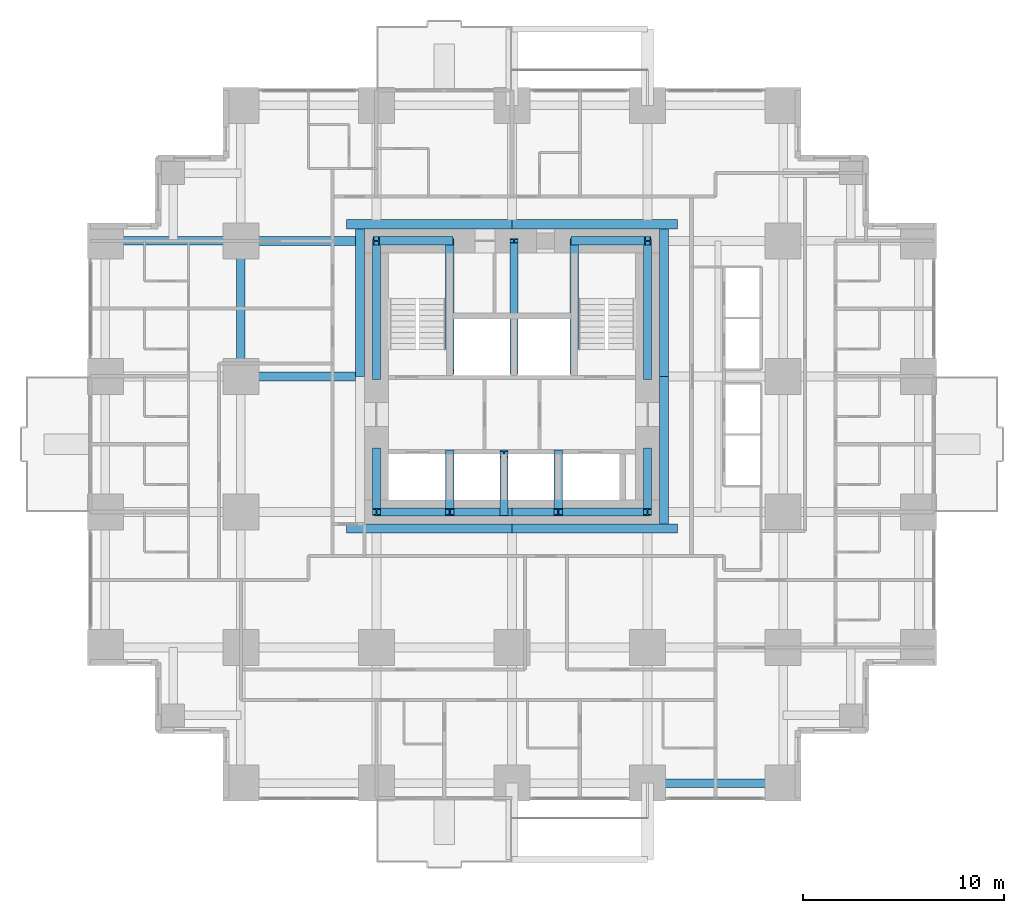
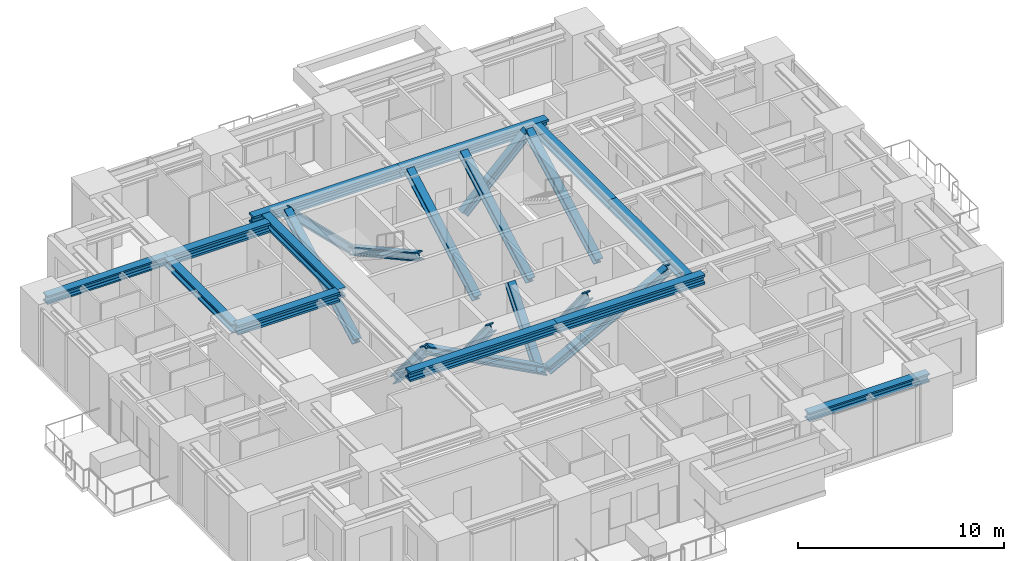
# One storey, part 3 of 13: 14 members, 12 beams.
"""IFC4 building model written with IfcOpenShell, lengths in metres."""

from ifc_helpers import new_model, si_unit, direction, frame, origin, origin_2d, place, context, subcontext, project, spatial, i_section, extrude, material, material_profile, profile_set, type_object, element, save


model = new_model("IFC4")

# Units and contexts
model_context = context("Model", 3, precision=1e-05, world=origin(), true_north=direction((0.0, 1.0)))
body_context = subcontext(model_context, "Body", "Model", "MODEL_VIEW")
ifc_project = project(units=[si_unit("LENGTHUNIT", "METRE"), si_unit("AREAUNIT", "SQUARE_METRE"), si_unit("VOLUMEUNIT", "CUBIC_METRE"), si_unit("PLANEANGLEUNIT", "RADIAN"), si_unit("MASSUNIT", "GRAM", prefix="KILO")], contexts=[model_context])

# Site, building, storey
site_placement = place(None, origin())
site = spatial("IfcSite", under=ifc_project, at=site_placement, CompositionType="ELEMENT")
building_placement = place(site_placement, origin())
building = spatial("IfcBuilding", under=site, at=building_placement, Name="Nyansa Garden Tower", CompositionType="ELEMENT")
storey_placement = place(building_placement, frame((0.0, 0.0, 94.5)))
storey = spatial("IfcBuildingStorey", under=building, at=storey_placement, Name="L25", CompositionType="ELEMENT", Elevation=94.5)

# Members
ifc_material_1 = material(Name="Steel S355", Category="steel")
ifc_material_profile_1 = material_profile(ifc_material_1, i_section(OverallWidth=0.41796875, OverallDepth=0.455078125, WebThickness=0.0419921875, FlangeThickness=0.067626953125, FilletRadius=0.014892578125, at=origin_2d()), Name="HD 400x463")
ifc_profile_set_1 = profile_set([ifc_material_profile_1], Name="Steel S355")
member_type = type_object("IfcMemberType", Name="Perimeter brace HD 400x463", PredefinedType="BRACE", material=ifc_profile_set_1)
for number, where, z_axis, x_axis, name in (
    (1, (20.25, 13.5, 0.0), (-0.882347640589, 0.0, 0.47059817376), (0.0, -1.0, 0.0), "Core brace CS1 L25"),
    (2, (20.25, 13.5, 0.0), (0.882347640589, 0.0, 0.47059817376), (0.0, 1.0, 0.0), "Core brace CS2 L25"),
):
    element("IfcMember", number, at=place(storey_placement, frame(where, z_axis=z_axis, x_axis=x_axis)), inside=storey, type_object=member_type, Name=name, PredefinedType="BRACE", context=body_context, shape_type="SweptSolid", body=[
        extrude(i_section(OverallWidth=0.41796875, OverallDepth=0.455078125, WebThickness=0.0419921875, FlangeThickness=0.067626953125, FilletRadius=0.014892578125, at=origin_2d()), origin(), (0.0, 0.0, 1.0), 7.650146484375),
    ])
for number, where, z_axis, x_axis, name in (
    (3, (17.14990234375, 27.0, 0.0), (-0.711947531702, 0.0, 0.702232662373), (0.0, -1.0, 0.0), "Core brace CN3 L25"),
    (4, (23.35009765625, 27.0, 0.0), (0.711947531702, 0.0, 0.702232662373), (0.0, 1.0, 0.0), "Core brace CN4 L25"),
):
    element("IfcMember", number, at=place(storey_placement, frame(where, z_axis=z_axis, x_axis=x_axis)), inside=storey, type_object=member_type, Name=name, PredefinedType="BRACE", context=body_context, shape_type="SweptSolid", body=[
        extrude(i_section(OverallWidth=0.41796875, OverallDepth=0.455078125, WebThickness=0.0419921875, FlangeThickness=0.067626953125, FilletRadius=0.014892578125, at=origin_2d()), origin(), (0.0, 0.0, 1.0), 5.126708984375),
    ])
member_1_placement = place(storey_placement, frame((13.5, 16.5, 0.0), z_axis=(0.0, -0.640174150918, 0.768229820104), x_axis=(1.0, 0.0, 0.0)))
element("IfcMember", 5, at=member_1_placement, inside=storey, type_object=member_type, Name="Core brace CW5 L25", PredefinedType="BRACE", context=body_context, shape_type="SweptSolid", body=[
    extrude(i_section(OverallWidth=0.41796875, OverallDepth=0.455078125, WebThickness=0.0419921875, FlangeThickness=0.067626953125, FilletRadius=0.014892578125, at=origin_2d()), origin(), (0.0, 0.0, 1.0), 4.686279296875),
])
member_2_placement = place(storey_placement, frame((13.5, 20.199951171875, 0.0), z_axis=(0.0, 0.883784057226, 0.467895009796), x_axis=(-1.0, 0.0, 0.0)))
element("IfcMember", 6, at=member_2_placement, inside=storey, type_object=member_type, Name="Core brace CW6 L25", PredefinedType="BRACE", context=body_context, shape_type="SweptSolid", body=[
    extrude(i_section(OverallWidth=0.41796875, OverallDepth=0.455078125, WebThickness=0.0419921875, FlangeThickness=0.067626953125, FilletRadius=0.014892578125, at=origin_2d()), origin(), (0.0, 0.0, 1.0), 7.6943359375),
])
member_3_placement = place(storey_placement, frame((27.0, 16.5, 0.0), z_axis=(0.0, -0.640174150918, 0.768229820104), x_axis=(1.0, 0.0, 0.0)))
element("IfcMember", 7, at=member_3_placement, inside=storey, type_object=member_type, Name="Core brace CE7 L25", PredefinedType="BRACE", context=body_context, shape_type="SweptSolid", body=[
    extrude(i_section(OverallWidth=0.41796875, OverallDepth=0.455078125, WebThickness=0.0419921875, FlangeThickness=0.067626953125, FilletRadius=0.014892578125, at=origin_2d()), origin(), (0.0, 0.0, 1.0), 4.686279296875),
])
member_4_placement = place(storey_placement, frame((27.0, 20.199951171875, 0.0), z_axis=(0.0, 0.883784057226, 0.467895009796), x_axis=(-1.0, 0.0, 0.0)))
element("IfcMember", 8, at=member_4_placement, inside=storey, type_object=member_type, Name="Core brace CE8 L25", PredefinedType="BRACE", context=body_context, shape_type="SweptSolid", body=[
    extrude(i_section(OverallWidth=0.41796875, OverallDepth=0.455078125, WebThickness=0.0419921875, FlangeThickness=0.067626953125, FilletRadius=0.014892578125, at=origin_2d()), origin(), (0.0, 0.0, 1.0), 7.6943359375),
])
for number, where, z_axis, x_axis, name in (
    (9, (17.14990234375, 27.0, 0.0), (0.0, -0.876353113771, 0.481669201822), (1.0, 0.0, 0.0), "Core brace CWS9 L25"),
    (10, (23.35009765625, 20.449951171875, 0.0), (0.0, 0.876353113771, 0.481669201822), (-1.0, 0.0, 0.0), "Core brace CES10 L25"),
):
    element("IfcMember", number, at=place(storey_placement, frame(where, z_axis=z_axis, x_axis=x_axis)), inside=storey, type_object=member_type, Name=name, PredefinedType="BRACE", context=body_context, shape_type="SweptSolid", body=[
        extrude(i_section(OverallWidth=0.41796875, OverallDepth=0.455078125, WebThickness=0.0419921875, FlangeThickness=0.067626953125, FilletRadius=0.014892578125, at=origin_2d()), origin(), (0.0, 0.0, 1.0), 7.47412109375),
    ])
for number, where, z_axis, x_axis, name in (
    (11, (17.14990234375, 16.39990234375, 0.0), (0.0, -0.627306405886, 0.778772542617), (1.0, 0.0, 0.0), "Core brace CSW11 L25"),
    (12, (19.85009765625, 13.5, 0.0), (0.0, 0.627306405886, 0.778772542617), (-1.0, 0.0, 0.0), "Core brace CSW12 L25"),
    (13, (22.550048828125, 16.39990234375, 0.0), (0.0, -0.627306405886, 0.778772542617), (1.0, 0.0, 0.0), "Core brace CSW13 L25"),
):
    element("IfcMember", number, at=place(storey_placement, frame(where, z_axis=z_axis, x_axis=x_axis)), inside=storey, type_object=member_type, Name=name, PredefinedType="BRACE", context=body_context, shape_type="SweptSolid", body=[
        extrude(i_section(OverallWidth=0.41796875, OverallDepth=0.455078125, WebThickness=0.0419921875, FlangeThickness=0.067626953125, FilletRadius=0.014892578125, at=origin_2d()), origin(), (0.0, 0.0, 1.0), 4.622802734375),
    ])
member_5_placement = place(storey_placement, frame((20.35009765625, 20.449951171875, 0.0), z_axis=(0.0, 0.876353113771, 0.481669201822), x_axis=(-1.0, 0.0, 0.0)))
element("IfcMember", 14, at=member_5_placement, inside=storey, type_object=member_type, Name="Core brace CNW14 L25", PredefinedType="BRACE", context=body_context, shape_type="SweptSolid", body=[
    extrude(i_section(OverallWidth=0.41796875, OverallDepth=0.455078125, WebThickness=0.0419921875, FlangeThickness=0.067626953125, FilletRadius=0.014892578125, at=origin_2d()), origin(), (0.0, 0.0, 1.0), 7.47412109375),
])

# Beams
ifc_material_2 = material(Name="Steel S355", Category="steel")
ifc_material_profile_2 = material_profile(ifc_material_2, i_section(OverallWidth=0.431884765625, OverallDepth=0.498046875, WebThickness=0.0556640625, FlangeThickness=0.0888671875, FilletRadius=0.014892578125, at=origin_2d()), Name="HD 400x744")
ifc_profile_set_2 = profile_set([ifc_material_profile_2], Name="Steel S355")
beam_type_1 = type_object("IfcBeamType", Name="Steel beam SBB1-744 HD 400x744", PredefinedType="BEAM", material=ifc_profile_set_2)
for number, where, z_axis, x_axis, name in (
    (15, (0.0, 27.0, 3.1259765625), (1.0, 0.0, 0.0), (0.0, 1.0, 0.0), "Steel beam 2/H-3/H L26"),
    (16, (6.75, 20.25, 3.1259765625), (0.0, 1.0, 0.0), (-1.0, 0.0, 0.0), "Steel beam 3/G-3/H L26"),
):
    element("IfcBeam", number, at=place(storey_placement, frame(where, z_axis=z_axis, x_axis=x_axis)), inside=storey, type_object=beam_type_1, Name=name, PredefinedType="BEAM", context=body_context, shape_type="SweptSolid", body=[
        extrude(i_section(OverallWidth=0.431884765625, OverallDepth=0.498046875, WebThickness=0.0556640625, FlangeThickness=0.0888671875, FilletRadius=0.014892578125, at=origin_2d()), origin(), (0.0, 0.0, 1.0), 6.75),
    ])
ifc_material_3 = material(Name="Steel S355", Category="steel")
ifc_material_profile_3 = material_profile(ifc_material_3, i_section(OverallWidth=0.4541015625, OverallDepth=0.569091796875, WebThickness=0.077880859375, FlangeThickness=0.125, FilletRadius=0.014892578125, at=origin_2d()), Name="HD 400x1086")
ifc_profile_set_3 = profile_set([ifc_material_profile_3], Name="Steel S355")
beam_type_2 = type_object("IfcBeamType", Name="Steel beam SCL-1086 HD 400x1086", PredefinedType="BEAM", material=ifc_profile_set_3)
for number, where, z_axis, x_axis, name in (
    (17, (6.75, 20.25, 3.090576171875), (1.0, 0.0, 0.0), (0.0, 1.0, 0.0), "Steel beam 3/G-12.450/G L26"),
    (18, (6.75, 27.0, 3.090576171875), (1.0, 0.0, 0.0), (0.0, 1.0, 0.0), "Steel beam 3/H-12.450/H L26"),
):
    element("IfcBeam", number, at=place(storey_placement, frame(where, z_axis=z_axis, x_axis=x_axis)), inside=storey, type_object=beam_type_2, Name=name, PredefinedType="BEAM", context=body_context, shape_type="SweptSolid", body=[
        extrude(i_section(OverallWidth=0.4541015625, OverallDepth=0.569091796875, WebThickness=0.077880859375, FlangeThickness=0.125, FilletRadius=0.014892578125, at=origin_2d()), origin(), (0.0, 0.0, 1.0), 5.699951171875),
    ])
for number, where, z_axis, x_axis, name in (
    (19, (12.0, 12.673095703125, 3.090576171875), (1.0, 0.0, 0.0), (0.0, 1.0, 0.0), "Steel core ledger beam S.1 L26"),
    (20, (20.25, 12.673095703125, 3.090576171875), (1.0, 0.0, 0.0), (0.0, 1.0, 0.0), "Steel core ledger beam S.2 L26"),
):
    element("IfcBeam", number, at=place(storey_placement, frame(where, z_axis=z_axis, x_axis=x_axis)), inside=storey, type_object=beam_type_2, Name=name, PredefinedType="BEAM", context=body_context, shape_type="SweptSolid", body=[
        extrude(i_section(OverallWidth=0.4541015625, OverallDepth=0.569091796875, WebThickness=0.077880859375, FlangeThickness=0.125, FilletRadius=0.014892578125, at=origin_2d()), origin(), (0.0, 0.0, 1.0), 8.25),
    ])
for number, where, z_axis, x_axis, name in (
    (21, (27.826904296875, 12.89990234375, 3.090576171875), (0.0, 1.0, 0.0), (-1.0, 0.0, 0.0), "Steel core ledger beam E.1 L26"),
    (22, (27.826904296875, 20.25, 3.090576171875), (0.0, 1.0, 0.0), (-1.0, 0.0, 0.0), "Steel core ledger beam E.2 L26"),
):
    element("IfcBeam", number, at=place(storey_placement, frame(where, z_axis=z_axis, x_axis=x_axis)), inside=storey, type_object=beam_type_2, Name=name, PredefinedType="BEAM", context=body_context, shape_type="SweptSolid", body=[
        extrude(i_section(OverallWidth=0.4541015625, OverallDepth=0.569091796875, WebThickness=0.077880859375, FlangeThickness=0.125, FilletRadius=0.014892578125, at=origin_2d()), origin(), (0.0, 0.0, 1.0), 7.35009765625),
    ])
for number, where, z_axis, x_axis, name in (
    (23, (28.5, 27.826904296875, 3.090576171875), (-1.0, 0.0, 0.0), (0.0, -1.0, 0.0), "Steel core ledger beam N.1 L26"),
    (24, (20.25, 27.826904296875, 3.090576171875), (-1.0, 0.0, 0.0), (0.0, -1.0, 0.0), "Steel core ledger beam N.2 L26"),
):
    element("IfcBeam", number, at=place(storey_placement, frame(where, z_axis=z_axis, x_axis=x_axis)), inside=storey, type_object=beam_type_2, Name=name, PredefinedType="BEAM", context=body_context, shape_type="SweptSolid", body=[
        extrude(i_section(OverallWidth=0.4541015625, OverallDepth=0.569091796875, WebThickness=0.077880859375, FlangeThickness=0.125, FilletRadius=0.014892578125, at=origin_2d()), origin(), (0.0, 0.0, 1.0), 8.25),
    ])
beam_1_placement = place(storey_placement, frame((12.673095703125, 27.60009765625, 3.090576171875), z_axis=(0.0, -1.0, 0.0), x_axis=(1.0, 0.0, 0.0)))
element("IfcBeam", 25, at=beam_1_placement, inside=storey, type_object=beam_type_2, Name="Steel core ledger beam W.1 L26", PredefinedType="BEAM", context=body_context, shape_type="SweptSolid", body=[
    extrude(i_section(OverallWidth=0.4541015625, OverallDepth=0.569091796875, WebThickness=0.077880859375, FlangeThickness=0.125, FilletRadius=0.014892578125, at=origin_2d()), origin(), (0.0, 0.0, 1.0), 7.35009765625),
])
ifc_material_4 = material(Name="Steel S355", Category="steel")
ifc_material_profile_4 = material_profile(ifc_material_4, i_section(OverallWidth=0.431884765625, OverallDepth=0.498046875, WebThickness=0.0556640625, FlangeThickness=0.0888671875, FilletRadius=0.014892578125, at=origin_2d()), Name="HD 400x744")
ifc_profile_set_4 = profile_set([ifc_material_profile_4], Name="Steel S355")
beam_type_3 = type_object("IfcBeamType", Name="Steel beam SEBB-744 HD 400x744", PredefinedType="BEAM", material=ifc_profile_set_4)
beam_2_placement = place(storey_placement, frame((27.0, 0.0, 3.1259765625), z_axis=(1.0, 0.0, 0.0), x_axis=(0.0, 1.0, 0.0)))
element("IfcBeam", 26, at=beam_2_placement, inside=storey, type_object=beam_type_3, Name="Steel edge beam 6/D-7/D L26", PredefinedType="BEAM", context=body_context, shape_type="SweptSolid", body=[
    extrude(i_section(OverallWidth=0.431884765625, OverallDepth=0.498046875, WebThickness=0.0556640625, FlangeThickness=0.0888671875, FilletRadius=0.014892578125, at=origin_2d()), origin(), (0.0, 0.0, 1.0), 6.75),
])

save(model, "model.ifc")
